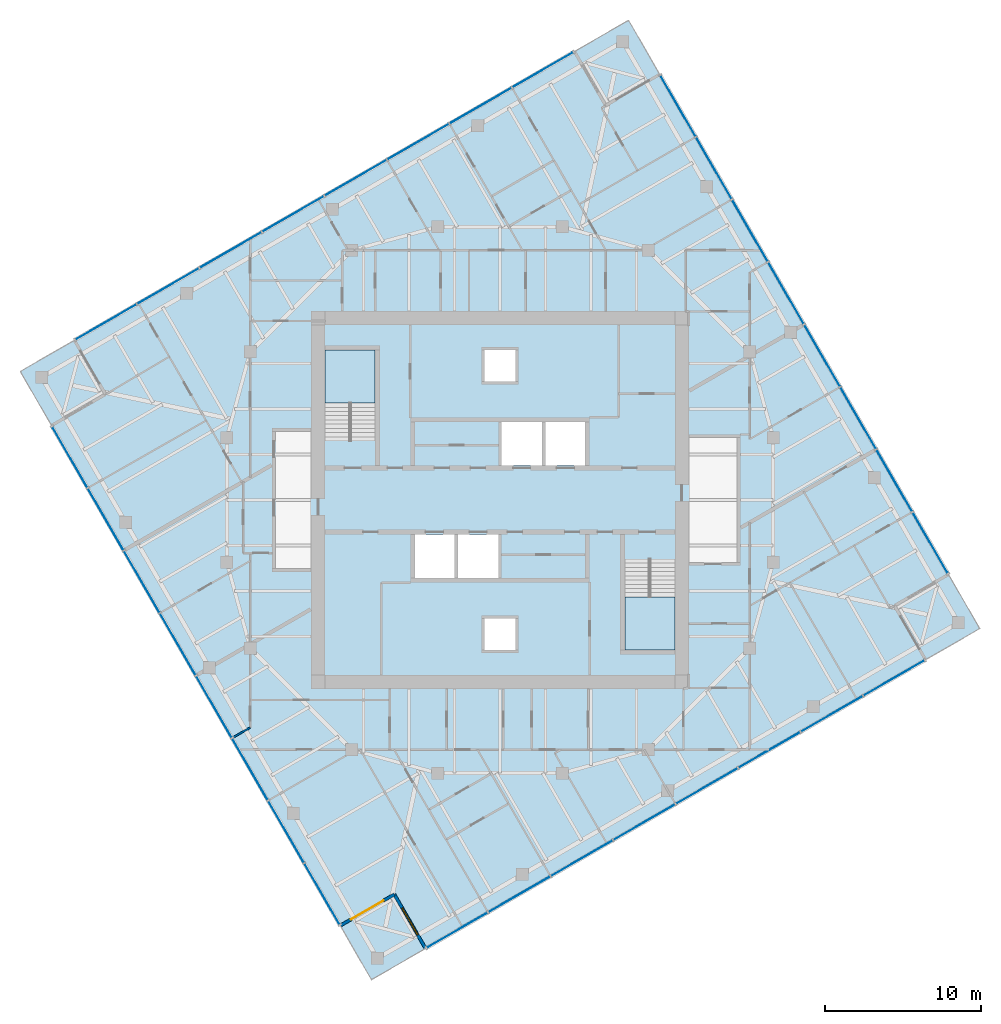
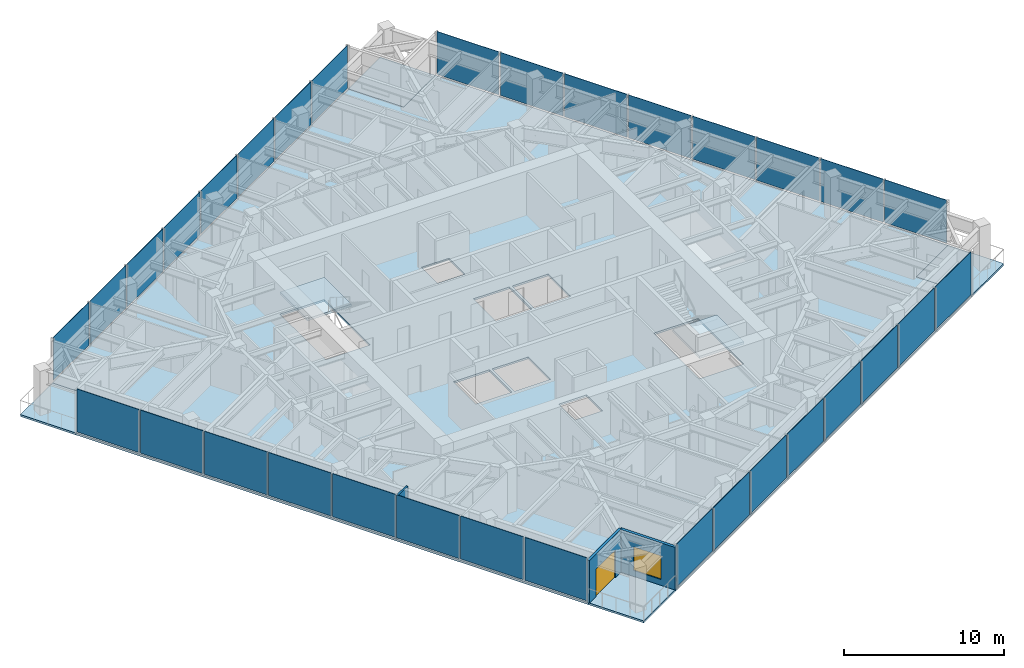
# One storey, part 6 of 13: 32 plates, 7 slabs, 3 walls, 1 door, 1 window, 2 openings, 6 elements without a shape of their own.
"""IFC4 building model written with IfcOpenShell, lengths in metres."""

from ifc_helpers import new_model, si_unit, direction, frame, frame_2d, origin, origin_2d, place, context, subcontext, project, spatial, polyline, rectangle, outline, extrude, material, layer, layer_set, type_object, element, fill, aggregate, save


model = new_model("IFC4")

# Units and contexts
model_context = context("Model", 3, precision=1e-05, world=origin(), true_north=direction((0.0, 1.0)))
body_context = subcontext(model_context, "Body", "Model", "MODEL_VIEW")
ifc_project = project(units=[si_unit("LENGTHUNIT", "METRE"), si_unit("AREAUNIT", "SQUARE_METRE"), si_unit("VOLUMEUNIT", "CUBIC_METRE"), si_unit("PLANEANGLEUNIT", "RADIAN"), si_unit("MASSUNIT", "GRAM", prefix="KILO")], contexts=[model_context])

# Site, building, storey
site_placement = place(None, origin())
site = spatial("IfcSite", under=ifc_project, at=site_placement, CompositionType="ELEMENT")
building_placement = place(site_placement, origin())
building = spatial("IfcBuilding", under=site, at=building_placement, Name="Torsade Residences", CompositionType="ELEMENT")
storey_placement = place(building_placement, frame((0.0, 0.0, 225.199951171875)))
storey = spatial("IfcBuildingStorey", under=building, at=storey_placement, Name="L62", CompositionType="ELEMENT", Elevation=225.199951171875)

# Slab
ifc_material_1 = material(Name="Concrete 40 MPa", Category="concrete")
ifc_layer_1 = layer(ifc_material_1, 0.14990234375)
ifc_layer_set_1 = layer_set([ifc_layer_1], Name="Concrete 40 MPa")
slab_type_1 = type_object("IfcSlabType", Name="COMPOSITE FLOOR SLAB 150", PredefinedType="FLOOR", material=ifc_layer_set_1)
slab_1_placement = place(storey_placement, frame((0.0, 0.0, -0.14990234375)))
element("IfcSlab", 1, at=slab_1_placement, inside=storey, type_object=slab_type_1, Name="Floor slab L62", PredefinedType="FLOOR", context=body_context, shape_type="SweptSolid", body=[
    extrude(outline(polyline([(35.228515625, 1.264404296875), (67.271484375, 19.764404296875), (65.271484375, 23.228515625), (68.735595703125, 25.228515625), (50.235595703125, 57.271484375), (46.771484375, 55.271484375), (44.771484375, 58.735595703125), (12.728515625, 40.235595703125), (14.728515625, 36.771484375), (11.264404296875, 34.771484375), (29.764404296875, 2.728515625), (33.228515625, 4.728515625), (35.228515625, 1.264404296875)]), holes=[polyline([(51.199951171875, 26.1201171875), (48.0, 26.1201171875), (48.0, 20.39990234375), (51.199951171875, 20.39990234375), (51.199951171875, 26.1201171875)]), polyline([(45.5, 35.0), (42.89990234375, 35.0), (42.89990234375, 32.199951171875), (45.5, 32.199951171875), (45.5, 35.0)]), polyline([(42.699951171875, 35.0), (40.10009765625, 35.0), (40.10009765625, 32.199951171875), (42.699951171875, 32.199951171875), (42.699951171875, 35.0)]), polyline([(41.0, 22.39990234375), (39.0, 22.39990234375), (39.0, 20.39990234375), (41.0, 20.39990234375), (41.0, 22.39990234375)]), polyline([(41.0, 39.60009765625), (39.0, 39.60009765625), (39.0, 37.60009765625), (41.0, 37.60009765625), (41.0, 39.60009765625)]), polyline([(39.89990234375, 27.800048828125), (37.300048828125, 27.800048828125), (37.300048828125, 25.0), (39.89990234375, 25.0), (39.89990234375, 27.800048828125)]), polyline([(37.10009765625, 27.800048828125), (34.5, 27.800048828125), (34.5, 25.0), (37.10009765625, 25.0), (37.10009765625, 27.800048828125)]), polyline([(32.0, 39.60009765625), (28.800048828125, 39.60009765625), (28.800048828125, 33.8798828125), (32.0, 33.8798828125), (32.0, 39.60009765625)])]), origin(), (0.0, 0.0, 1.0), 0.14990234375),
])

# Curtain wall, plates
ifc_material_2 = material(Name="Aluminium and glass", Category="aluminium")
curtain_wall_type = type_object("IfcCurtainWallType", Name="FRITTED GLASS CURTAIN WALL HIGH ZONE", PredefinedType="NOTDEFINED", material=ifc_material_2)
curtain_wall_1_placement = place(storey_placement, origin())
curtain_wall_1 = element("IfcCurtainWall", 2, at=curtain_wall_1_placement, inside=storey, type_object=curtain_wall_type, Name="Curtain wall L62 face 1", PredefinedType="NOTDEFINED")
ifc_material_3 = material(Name="Laminated glass", Category="glass")
ifc_layer_2 = layer(ifc_material_3, 0.031982421875)
ifc_layer_set_2 = layer_set([ifc_layer_2], Name="Laminated glass")
plate_type_1 = type_object("IfcPlateType", Name="FRITTED GLASS PANEL", PredefinedType="CURTAIN_PANEL", material=ifc_layer_set_2)
plate_1_placement = place(storey_placement, frame((37.2529296875, 2.43310546875, 0.1201171875), z_axis=(0.0, 0.0, 1.0), x_axis=(0.866025404186, 0.499999999305, 0.0)))
plate_1 = element("IfcPlate", 3, at=plate_1_placement, type_object=plate_type_1, Name="Panel 1", PredefinedType="CURTAIN_PANEL", context=body_context, shape_type="SweptSolid", body=[
    extrude(rectangle(XDim=4.47509765625, YDim=0.031982421875, at=origin_2d()), origin(), (0.0, 0.0, 1.0), 3.280029296875),
])
plate_2_placement = place(storey_placement, frame((45.241943359375, 7.045654296875, 0.1201171875), z_axis=(0.0, 0.0, 1.0), x_axis=(0.866025404186, 0.499999999305, 0.0)))
plate_2 = element("IfcPlate", 4, at=plate_2_placement, type_object=plate_type_1, Name="Panel 3", PredefinedType="CURTAIN_PANEL", context=body_context, shape_type="SweptSolid", body=[
    extrude(rectangle(XDim=4.52490234375, YDim=0.031982421875, at=origin_2d()), origin(), (0.0, 0.0, 1.0), 3.280029296875),
])
plate_3_placement = place(storey_placement, frame((49.247314453125, 9.358154296875, 0.1201171875), z_axis=(0.0, 0.0, 1.0), x_axis=(0.866025404186, 0.499999999305, 0.0)))
plate_3 = element("IfcPlate", 5, at=plate_3_placement, type_object=plate_type_1, Name="Panel 4", PredefinedType="CURTAIN_PANEL", context=body_context, shape_type="SweptSolid", body=[
    extrude(rectangle(XDim=4.52490234375, YDim=0.031982421875, at=origin_2d()), origin(), (0.0, 0.0, 1.0), 3.280029296875),
])
plate_4_placement = place(storey_placement, frame((53.252685546875, 11.670654296875, 0.1201171875), z_axis=(0.0, 0.0, 1.0), x_axis=(0.866025404186, 0.499999999305, 0.0)))
plate_4 = element("IfcPlate", 6, at=plate_4_placement, type_object=plate_type_1, Name="Panel 5", PredefinedType="CURTAIN_PANEL", context=body_context, shape_type="SweptSolid", body=[
    extrude(rectangle(XDim=4.52490234375, YDim=0.031982421875, at=origin_2d()), origin(), (0.0, 0.0, 1.0), 3.280029296875),
])
plate_5_placement = place(storey_placement, frame((61.263427734375, 16.295654296875, 0.1201171875), z_axis=(0.0, 0.0, 1.0), x_axis=(0.866025404186, 0.499999999305, 0.0)))
plate_5 = element("IfcPlate", 7, at=plate_5_placement, type_object=plate_type_1, Name="Panel 7", PredefinedType="CURTAIN_PANEL", context=body_context, shape_type="SweptSolid", body=[
    extrude(rectangle(XDim=4.52490234375, YDim=0.031982421875, at=origin_2d()), origin(), (0.0, 0.0, 1.0), 3.280029296875),
])
plate_6_placement = place(storey_placement, frame((65.2470703125, 18.595703125, 0.1201171875), z_axis=(0.0, 0.0, 1.0), x_axis=(0.866025404186, 0.499999999305, 0.0)))
plate_6 = element("IfcPlate", 8, at=plate_6_placement, type_object=plate_type_1, Name="Panel 8", PredefinedType="CURTAIN_PANEL", context=body_context, shape_type="SweptSolid", body=[
    extrude(rectangle(XDim=4.47509765625, YDim=0.031982421875, at=origin_2d()), origin(), (0.0, 0.0, 1.0), 3.280029296875),
])

curtain_wall_2_placement = place(storey_placement, origin())
curtain_wall_2 = element("IfcCurtainWall", 9, at=curtain_wall_2_placement, inside=storey, type_object=curtain_wall_type, Name="Curtain wall L62 face 4", PredefinedType="NOTDEFINED")
plate_7_placement = place(storey_placement, frame((67.56689453125, 27.2529296875, 0.1201171875), z_axis=(0.0, 0.0, 1.0), x_axis=(-0.499999999305, 0.866025404186, 0.0)))
plate_7 = element("IfcPlate", 10, at=plate_7_placement, type_object=plate_type_1, Name="Panel 1", PredefinedType="CURTAIN_PANEL", context=body_context, shape_type="SweptSolid", body=[
    extrude(rectangle(XDim=4.47509765625, YDim=0.031982421875, at=origin_2d()), origin(), (0.0, 0.0, 1.0), 3.280029296875),
])
plate_8_placement = place(storey_placement, frame((62.954345703125, 35.241943359375, 0.1201171875), z_axis=(0.0, 0.0, 1.0), x_axis=(-0.499999999305, 0.866025404186, 0.0)))
plate_8 = element("IfcPlate", 11, at=plate_8_placement, type_object=plate_type_1, Name="Panel 3", PredefinedType="CURTAIN_PANEL", context=body_context, shape_type="SweptSolid", body=[
    extrude(rectangle(XDim=4.52490234375, YDim=0.031982421875, at=origin_2d()), origin(), (0.0, 0.0, 1.0), 3.280029296875),
])
plate_9_placement = place(storey_placement, frame((60.641845703125, 39.247314453125, 0.1201171875), z_axis=(0.0, 0.0, 1.0), x_axis=(-0.499999999305, 0.866025404186, 0.0)))
plate_9 = element("IfcPlate", 12, at=plate_9_placement, type_object=plate_type_1, Name="Panel 4", PredefinedType="CURTAIN_PANEL", context=body_context, shape_type="SweptSolid", body=[
    extrude(rectangle(XDim=4.52490234375, YDim=0.031982421875, at=origin_2d()), origin(), (0.0, 0.0, 1.0), 3.280029296875),
])
plate_10_placement = place(storey_placement, frame((58.329345703125, 43.252685546875, 0.1201171875), z_axis=(0.0, 0.0, 1.0), x_axis=(-0.499999999305, 0.866025404186, 0.0)))
plate_10 = element("IfcPlate", 13, at=plate_10_placement, type_object=plate_type_1, Name="Panel 5", PredefinedType="CURTAIN_PANEL", context=body_context, shape_type="SweptSolid", body=[
    extrude(rectangle(XDim=4.52490234375, YDim=0.031982421875, at=origin_2d()), origin(), (0.0, 0.0, 1.0), 3.280029296875),
])
plate_11_placement = place(storey_placement, frame((53.704345703125, 51.263427734375, 0.1201171875), z_axis=(0.0, 0.0, 1.0), x_axis=(-0.499999999305, 0.866025404186, 0.0)))
plate_11 = element("IfcPlate", 14, at=plate_11_placement, type_object=plate_type_1, Name="Panel 7", PredefinedType="CURTAIN_PANEL", context=body_context, shape_type="SweptSolid", body=[
    extrude(rectangle(XDim=4.52490234375, YDim=0.031982421875, at=origin_2d()), origin(), (0.0, 0.0, 1.0), 3.280029296875),
])
plate_12_placement = place(storey_placement, frame((51.404296875, 55.2470703125, 0.1201171875), z_axis=(0.0, 0.0, 1.0), x_axis=(-0.499999999305, 0.866025404186, 0.0)))
plate_12 = element("IfcPlate", 15, at=plate_12_placement, type_object=plate_type_1, Name="Panel 8", PredefinedType="CURTAIN_PANEL", context=body_context, shape_type="SweptSolid", body=[
    extrude(rectangle(XDim=4.47509765625, YDim=0.031982421875, at=origin_2d()), origin(), (0.0, 0.0, 1.0), 3.280029296875),
])

curtain_wall_3_placement = place(storey_placement, origin())
curtain_wall_3 = element("IfcCurtainWall", 16, at=curtain_wall_3_placement, inside=storey, type_object=curtain_wall_type, Name="Curtain wall L62 face 7", PredefinedType="NOTDEFINED")
plate_13_placement = place(storey_placement, frame((42.7470703125, 57.56689453125, 0.1201171875), z_axis=(0.0, 0.0, 1.0), x_axis=(-0.866025404186, -0.499999999305, 0.0)))
plate_13 = element("IfcPlate", 17, at=plate_13_placement, type_object=plate_type_1, Name="Panel 1", PredefinedType="CURTAIN_PANEL", context=body_context, shape_type="SweptSolid", body=[
    extrude(rectangle(XDim=4.47509765625, YDim=0.031982421875, at=origin_2d()), origin(), (0.0, 0.0, 1.0), 3.280029296875),
])
plate_14_placement = place(storey_placement, frame((34.758056640625, 52.954345703125, 0.1201171875), z_axis=(0.0, 0.0, 1.0), x_axis=(-0.866025404186, -0.499999999305, 0.0)))
plate_14 = element("IfcPlate", 18, at=plate_14_placement, type_object=plate_type_1, Name="Panel 3", PredefinedType="CURTAIN_PANEL", context=body_context, shape_type="SweptSolid", body=[
    extrude(rectangle(XDim=4.52490234375, YDim=0.031982421875, at=origin_2d()), origin(), (0.0, 0.0, 1.0), 3.280029296875),
])
plate_15_placement = place(storey_placement, frame((30.752685546875, 50.641845703125, 0.1201171875), z_axis=(0.0, 0.0, 1.0), x_axis=(-0.866025404186, -0.499999999305, 0.0)))
plate_15 = element("IfcPlate", 19, at=plate_15_placement, type_object=plate_type_1, Name="Panel 4", PredefinedType="CURTAIN_PANEL", context=body_context, shape_type="SweptSolid", body=[
    extrude(rectangle(XDim=4.52490234375, YDim=0.031982421875, at=origin_2d()), origin(), (0.0, 0.0, 1.0), 3.280029296875),
])
plate_16_placement = place(storey_placement, frame((26.747314453125, 48.329345703125, 0.1201171875), z_axis=(0.0, 0.0, 1.0), x_axis=(-0.866025404186, -0.499999999305, 0.0)))
plate_16 = element("IfcPlate", 20, at=plate_16_placement, type_object=plate_type_1, Name="Panel 5", PredefinedType="CURTAIN_PANEL", context=body_context, shape_type="SweptSolid", body=[
    extrude(rectangle(XDim=4.52490234375, YDim=0.031982421875, at=origin_2d()), origin(), (0.0, 0.0, 1.0), 3.280029296875),
])
plate_17_placement = place(storey_placement, frame((18.736572265625, 43.704345703125, 0.1201171875), z_axis=(0.0, 0.0, 1.0), x_axis=(-0.866025404186, -0.499999999305, 0.0)))
plate_17 = element("IfcPlate", 21, at=plate_17_placement, type_object=plate_type_1, Name="Panel 7", PredefinedType="CURTAIN_PANEL", context=body_context, shape_type="SweptSolid", body=[
    extrude(rectangle(XDim=4.52490234375, YDim=0.031982421875, at=origin_2d()), origin(), (0.0, 0.0, 1.0), 3.280029296875),
])
plate_18_placement = place(storey_placement, frame((14.7529296875, 41.404296875, 0.1201171875), z_axis=(0.0, 0.0, 1.0), x_axis=(-0.866025404186, -0.499999999305, 0.0)))
plate_18 = element("IfcPlate", 22, at=plate_18_placement, type_object=plate_type_1, Name="Panel 8", PredefinedType="CURTAIN_PANEL", context=body_context, shape_type="SweptSolid", body=[
    extrude(rectangle(XDim=4.47509765625, YDim=0.031982421875, at=origin_2d()), origin(), (0.0, 0.0, 1.0), 3.280029296875),
])

curtain_wall_4_placement = place(storey_placement, origin())
curtain_wall_4 = element("IfcCurtainWall", 23, at=curtain_wall_4_placement, inside=storey, type_object=curtain_wall_type, Name="Curtain wall L62 face 10", PredefinedType="NOTDEFINED")
plate_19_placement = place(storey_placement, frame((12.43310546875, 32.7470703125, 0.1201171875), z_axis=(0.0, 0.0, 1.0), x_axis=(0.499999999305, -0.866025404186, 0.0)))
plate_19 = element("IfcPlate", 24, at=plate_19_placement, type_object=plate_type_1, Name="Panel 1", PredefinedType="CURTAIN_PANEL", context=body_context, shape_type="SweptSolid", body=[
    extrude(rectangle(XDim=4.47509765625, YDim=0.031982421875, at=origin_2d()), origin(), (0.0, 0.0, 1.0), 3.280029296875),
])
plate_20_placement = place(storey_placement, frame((17.045654296875, 24.758056640625, 0.1201171875), z_axis=(0.0, 0.0, 1.0), x_axis=(0.499999999305, -0.866025404186, 0.0)))
plate_20 = element("IfcPlate", 25, at=plate_20_placement, type_object=plate_type_1, Name="Panel 3", PredefinedType="CURTAIN_PANEL", context=body_context, shape_type="SweptSolid", body=[
    extrude(rectangle(XDim=4.52490234375, YDim=0.031982421875, at=origin_2d()), origin(), (0.0, 0.0, 1.0), 3.280029296875),
])
plate_21_placement = place(storey_placement, frame((19.358154296875, 20.752685546875, 0.1201171875), z_axis=(0.0, 0.0, 1.0), x_axis=(0.499999999305, -0.866025404186, 0.0)))
plate_21 = element("IfcPlate", 26, at=plate_21_placement, type_object=plate_type_1, Name="Panel 4", PredefinedType="CURTAIN_PANEL", context=body_context, shape_type="SweptSolid", body=[
    extrude(rectangle(XDim=4.52490234375, YDim=0.031982421875, at=origin_2d()), origin(), (0.0, 0.0, 1.0), 3.280029296875),
])
plate_22_placement = place(storey_placement, frame((21.670654296875, 16.747314453125, 0.1201171875), z_axis=(0.0, 0.0, 1.0), x_axis=(0.499999999305, -0.866025404186, 0.0)))
plate_22 = element("IfcPlate", 27, at=plate_22_placement, type_object=plate_type_1, Name="Panel 5", PredefinedType="CURTAIN_PANEL", context=body_context, shape_type="SweptSolid", body=[
    extrude(rectangle(XDim=4.52490234375, YDim=0.031982421875, at=origin_2d()), origin(), (0.0, 0.0, 1.0), 3.280029296875),
])
plate_23_placement = place(storey_placement, frame((26.295654296875, 8.736572265625, 0.1201171875), z_axis=(0.0, 0.0, 1.0), x_axis=(0.499999999305, -0.866025404186, 0.0)))
plate_23 = element("IfcPlate", 28, at=plate_23_placement, type_object=plate_type_1, Name="Panel 7", PredefinedType="CURTAIN_PANEL", context=body_context, shape_type="SweptSolid", body=[
    extrude(rectangle(XDim=4.52490234375, YDim=0.031982421875, at=origin_2d()), origin(), (0.0, 0.0, 1.0), 3.280029296875),
])
plate_24_placement = place(storey_placement, frame((28.595703125, 4.7529296875, 0.1201171875), z_axis=(0.0, 0.0, 1.0), x_axis=(0.499999999305, -0.866025404186, 0.0)))
plate_24 = element("IfcPlate", 29, at=plate_24_placement, type_object=plate_type_1, Name="Panel 8", PredefinedType="CURTAIN_PANEL", context=body_context, shape_type="SweptSolid", body=[
    extrude(rectangle(XDim=4.47509765625, YDim=0.031982421875, at=origin_2d()), origin(), (0.0, 0.0, 1.0), 3.280029296875),
])

# Plate
ifc_material_4 = material(Name="Laminated glass", Category="glass")
ifc_layer_3 = layer(ifc_material_4, 0.0400390625)
ifc_layer_set_3 = layer_set([ifc_layer_3], Name="Laminated glass")
plate_type_2 = type_object("IfcPlateType", Name="OPERABLE VENT PANEL", PredefinedType="CURTAIN_PANEL", material=ifc_layer_set_3)
plate_25_placement = place(storey_placement, frame((41.236572265625, 4.733154296875, 0.1201171875), z_axis=(0.0, 0.0, 1.0), x_axis=(0.866025404186, 0.499999999305, 0.0)))
plate_25 = element("IfcPlate", 30, at=plate_25_placement, type_object=plate_type_2, Name="Panel 2", PredefinedType="CURTAIN_PANEL", context=body_context, shape_type="SweptSolid", body=[
    extrude(rectangle(XDim=4.52490234375, YDim=0.0400390625, at=origin_2d()), origin(), (0.0, 0.0, 1.0), 3.280029296875),
])

plate_26_placement = place(storey_placement, frame((57.258056640625, 13.983154296875, 0.1201171875), z_axis=(0.0, 0.0, 1.0), x_axis=(0.866025404186, 0.499999999305, 0.0)))
plate_26 = element("IfcPlate", 31, at=plate_26_placement, type_object=plate_type_2, Name="Panel 6", PredefinedType="CURTAIN_PANEL", context=body_context, shape_type="SweptSolid", body=[
    extrude(rectangle(XDim=4.52490234375, YDim=0.0400390625, at=origin_2d()), origin(), (0.0, 0.0, 1.0), 3.280029296875),
])

aggregate(curtain_wall_1, [plate_1, plate_25, plate_2, plate_3, plate_4, plate_26, plate_5, plate_6])

plate_27_placement = place(storey_placement, frame((65.266845703125, 31.236572265625, 0.1201171875), z_axis=(0.0, 0.0, 1.0), x_axis=(-0.499999999305, 0.866025404186, 0.0)))
plate_27 = element("IfcPlate", 32, at=plate_27_placement, type_object=plate_type_2, Name="Panel 2", PredefinedType="CURTAIN_PANEL", context=body_context, shape_type="SweptSolid", body=[
    extrude(rectangle(XDim=4.52490234375, YDim=0.0400390625, at=origin_2d()), origin(), (0.0, 0.0, 1.0), 3.280029296875),
])

plate_28_placement = place(storey_placement, frame((56.016845703125, 47.258056640625, 0.1201171875), z_axis=(0.0, 0.0, 1.0), x_axis=(-0.499999999305, 0.866025404186, 0.0)))
plate_28 = element("IfcPlate", 33, at=plate_28_placement, type_object=plate_type_2, Name="Panel 6", PredefinedType="CURTAIN_PANEL", context=body_context, shape_type="SweptSolid", body=[
    extrude(rectangle(XDim=4.52490234375, YDim=0.0400390625, at=origin_2d()), origin(), (0.0, 0.0, 1.0), 3.280029296875),
])

aggregate(curtain_wall_2, [plate_7, plate_27, plate_8, plate_9, plate_10, plate_28, plate_11, plate_12])

plate_29_placement = place(storey_placement, frame((38.763427734375, 55.266845703125, 0.1201171875), z_axis=(0.0, 0.0, 1.0), x_axis=(-0.866025404186, -0.499999999305, 0.0)))
plate_29 = element("IfcPlate", 34, at=plate_29_placement, type_object=plate_type_2, Name="Panel 2", PredefinedType="CURTAIN_PANEL", context=body_context, shape_type="SweptSolid", body=[
    extrude(rectangle(XDim=4.52490234375, YDim=0.0400390625, at=origin_2d()), origin(), (0.0, 0.0, 1.0), 3.280029296875),
])

plate_30_placement = place(storey_placement, frame((22.741943359375, 46.016845703125, 0.1201171875), z_axis=(0.0, 0.0, 1.0), x_axis=(-0.866025404186, -0.499999999305, 0.0)))
plate_30 = element("IfcPlate", 35, at=plate_30_placement, type_object=plate_type_2, Name="Panel 6", PredefinedType="CURTAIN_PANEL", context=body_context, shape_type="SweptSolid", body=[
    extrude(rectangle(XDim=4.52490234375, YDim=0.0400390625, at=origin_2d()), origin(), (0.0, 0.0, 1.0), 3.280029296875),
])

aggregate(curtain_wall_3, [plate_13, plate_29, plate_14, plate_15, plate_16, plate_30, plate_17, plate_18])

plate_31_placement = place(storey_placement, frame((14.733154296875, 28.763427734375, 0.1201171875), z_axis=(0.0, 0.0, 1.0), x_axis=(0.499999999305, -0.866025404186, 0.0)))
plate_31 = element("IfcPlate", 36, at=plate_31_placement, type_object=plate_type_2, Name="Panel 2", PredefinedType="CURTAIN_PANEL", context=body_context, shape_type="SweptSolid", body=[
    extrude(rectangle(XDim=4.52490234375, YDim=0.0400390625, at=origin_2d()), origin(), (0.0, 0.0, 1.0), 3.280029296875),
])

plate_32_placement = place(storey_placement, frame((23.983154296875, 12.741943359375, 0.1201171875), z_axis=(0.0, 0.0, 1.0), x_axis=(0.499999999305, -0.866025404186, 0.0)))
plate_32 = element("IfcPlate", 37, at=plate_32_placement, type_object=plate_type_2, Name="Panel 6", PredefinedType="CURTAIN_PANEL", context=body_context, shape_type="SweptSolid", body=[
    extrude(rectangle(XDim=4.52490234375, YDim=0.0400390625, at=origin_2d()), origin(), (0.0, 0.0, 1.0), 3.280029296875),
])

aggregate(curtain_wall_4, [plate_19, plate_31, plate_20, plate_21, plate_22, plate_32, plate_23, plate_24])

# Stair, slab
ifc_material_5 = material(Name="Precast concrete 40 MPa", Category="concrete")
stair_type = type_object("IfcStairType", Name="HALF-TURN FIRE STAIR 1500x3400", PredefinedType="HALF_TURN_STAIR", material=ifc_material_5)
stair_1_placement = place(storey_placement, origin())
stair_1 = element("IfcStair", 38, at=stair_1_placement, inside=storey, type_object=stair_type, Name="Stair ST1 L62", PredefinedType="HALF_TURN_STAIR")
ifc_material_6 = material(Name="Precast concrete 40 MPa", Category="concrete")
ifc_layer_4 = layer(ifc_material_6, 0.179931640625)
ifc_layer_set_4 = layer_set([ifc_layer_4], Name="Precast concrete 40 MPa")
slab_type_2 = type_object("IfcSlabType", Name="PRECAST STAIR LANDING 180", PredefinedType="LANDING", material=ifc_layer_set_4)
slab_2_placement = place(storey_placement, frame((0.0, 0.0, 1.52001953125)))
slab_2 = element("IfcSlab", 39, at=slab_2_placement, type_object=slab_type_2, Name="ST1 landing 1", PredefinedType="LANDING", context=body_context, shape_type="SweptSolid", body=[
    extrude(outline(polyline([(28.800048828125, 36.2099609375), (32.0, 36.2099609375), (32.0, 39.60009765625), (28.800048828125, 39.60009765625), (28.800048828125, 36.2099609375)])), origin(), (0.0, 0.0, 1.0), 0.179931640625),
])
aggregate(stair_1, [slab_2])

stair_2_placement = place(storey_placement, origin())
stair_2 = element("IfcStair", 40, at=stair_2_placement, inside=storey, type_object=stair_type, Name="Stair ST2 L62", PredefinedType="HALF_TURN_STAIR")
slab_3_placement = place(storey_placement, frame((0.0, 0.0, 1.52001953125)))
slab_3 = element("IfcSlab", 41, at=slab_3_placement, type_object=slab_type_2, Name="ST2 landing 1", PredefinedType="LANDING", context=body_context, shape_type="SweptSolid", body=[
    extrude(outline(polyline([(48.0, 20.39990234375), (51.199951171875, 20.39990234375), (51.199951171875, 23.7900390625), (48.0, 23.7900390625), (48.0, 20.39990234375)])), origin(), (0.0, 0.0, 1.0), 0.179931640625),
])
aggregate(stair_2, [slab_3])

# Slabs
ifc_material_7 = material(Name="Concrete 40 MPa", Category="concrete")
ifc_layer_5 = layer(ifc_material_7, 0.14990234375)
ifc_layer_set_5 = layer_set([ifc_layer_5], Name="Concrete 40 MPa")
slab_type_3 = type_object("IfcSlabType", Name="TERRACE SLAB 150", PredefinedType="FLOOR", material=ifc_layer_set_5)
slab_4_placement = place(storey_placement, frame((0.0, 0.0, -0.14990234375)))
element("IfcSlab", 42, at=slab_4_placement, inside=storey, type_object=slab_type_3, Name="Corner terrace slab SE L62", PredefinedType="FLOOR", context=body_context, shape_type="SweptSolid", body=[
    extrude(outline(polyline([(67.271484375, 19.764404296875), (70.735595703125, 21.764404296875), (68.735595703125, 25.228515625), (65.271484375, 23.228515625), (67.271484375, 19.764404296875)])), origin(), (0.0, 0.0, 1.0), 0.14990234375),
])
slab_5_placement = place(storey_placement, frame((0.0, 0.0, -0.14990234375)))
element("IfcSlab", 43, at=slab_5_placement, inside=storey, type_object=slab_type_3, Name="Corner terrace slab NE L62", PredefinedType="FLOOR", context=body_context, shape_type="SweptSolid", body=[
    extrude(outline(polyline([(46.771484375, 55.271484375), (50.235595703125, 57.271484375), (48.235595703125, 60.735595703125), (44.771484375, 58.735595703125), (46.771484375, 55.271484375)])), origin(), (0.0, 0.0, 1.0), 0.14990234375),
])
slab_6_placement = place(storey_placement, frame((0.0, 0.0, -0.14990234375)))
element("IfcSlab", 44, at=slab_6_placement, inside=storey, type_object=slab_type_3, Name="Corner terrace slab NW L62", PredefinedType="FLOOR", context=body_context, shape_type="SweptSolid", body=[
    extrude(outline(polyline([(11.264404296875, 34.771484375), (14.728515625, 36.771484375), (12.728515625, 40.235595703125), (9.264404296875, 38.235595703125), (11.264404296875, 34.771484375)])), origin(), (0.0, 0.0, 1.0), 0.14990234375),
])
slab_7_placement = place(storey_placement, frame((0.0, 0.0, -0.14990234375)))
element("IfcSlab", 45, at=slab_7_placement, inside=storey, type_object=slab_type_3, Name="Corner terrace slab SW L62", PredefinedType="FLOOR", context=body_context, shape_type="SweptSolid", body=[
    extrude(outline(polyline([(31.764404296875, -0.735595703125), (35.228515625, 1.264404296875), (33.228515625, 4.728515625), (29.764404296875, 2.728515625), (31.764404296875, -0.735595703125)])), origin(), (0.0, 0.0, 1.0), 0.14990234375),
])

# Wall
ifc_material_8 = material(Name="Plasterboard on steel stud", Category="steel")
ifc_layer_6 = layer(ifc_material_8, 0.1201171875)
ifc_layer_set_6 = layer_set([ifc_layer_6], Name="Plasterboard on steel stud")
wall_type_1 = type_object("IfcWallType", Name="PARTITION 120", PredefinedType="PARTITIONING", material=ifc_layer_set_6)
wall_1_placement = place(storey_placement, frame((22.861572265625, 14.7646484375, 0.0), z_axis=(0.0, 0.0, 1.0), x_axis=(0.866040225545, 0.499974327079, 0.0)))
element("IfcWall", 46, at=wall_1_placement, inside=storey, type_object=wall_type_1, Name="Partition L62", PredefinedType="PARTITIONING", context=body_context, shape_type="SweptSolid", body=[
    extrude(rectangle(XDim=1.314453125, YDim=0.1201171875, at=frame_2d((0.6572265625, 0.0))), origin(), (0.0, 0.0, 1.0), 3.25),
])

# Wall, opening, door
ifc_material_9 = material(Name="Stone-faced precast concrete 40 MPa panel", Category="masonry")
ifc_layer_7 = layer(ifc_material_9, 0.199951171875)
ifc_layer_set_7 = layer_set([ifc_layer_7], Name="Stone-faced precast concrete 40 MPa panel")
wall_type_2 = type_object("IfcWallType", Name="TERRACE WALL 200", PredefinedType="SOLIDWALL", material=ifc_layer_set_7)
wall_2_placement = place(storey_placement, frame((29.764404296875, 2.728515625, 0.0), z_axis=(0.0, 0.0, 1.0), x_axis=(0.866026010844, 0.49999894854, 0.0)))
wall_2 = element("IfcWall", 47, at=wall_2_placement, inside=storey, type_object=wall_type_2, Name="Terrace wall L62 11", PredefinedType="SOLIDWALL", context=body_context, shape_type="SweptSolid", body=[
    extrude(rectangle(XDim=4.0, YDim=0.199951171875, at=frame_2d((2.0, 0.0))), origin(), (0.0, 0.0, 1.0), 3.25),
])
opening_1_placement = place(wall_2_placement, frame((0.800048828125, 0.0, 0.0)))
opening_1 = element("IfcOpeningElement", 48, at=opening_1_placement, cuts=wall_2, Name="Opening D10A", PredefinedType="OPENING", context=body_context, shape_type="SweptSolid", body=[
    extrude(rectangle(XDim=2.39990234375, YDim=2.10009765625, at=frame_2d((1.199951171875, 1.050048828125))), frame((0.0, 0.10986328125, 0.0), z_axis=(0.0, -1.0, 0.0), x_axis=(1.0, 0.0, 0.0)), (0.0, 0.0, 1.0), 0.219970703125),
])
ifc_material_10 = material(Name="Aluminium-framed glass door", Category="aluminium")
door_type = type_object("IfcDoorType", Name="TERRACE SLIDING DOOR 2400x2100", OperationType="SLIDING_TO_LEFT", PredefinedType="DOOR", material=ifc_material_10)
door_placement = place(opening_1_placement, origin())
door = element("IfcDoor", 49, at=door_placement, inside=storey, type_object=door_type, Name="Terrace door L62 11", OperationType="SLIDING_TO_LEFT", OverallHeight=2.10009765625, OverallWidth=2.39990234375, PredefinedType="DOOR", context=body_context, shape_type="SweptSolid", body=[
    extrude(rectangle(XDim=2.39990234375, YDim=2.10009765625, at=frame_2d((1.199951171875, 1.050048828125))), frame((0.0, 0.02490234375, 0.0), z_axis=(0.0, -1.0, 0.0), x_axis=(1.0, 0.0, 0.0)), (0.0, 0.0, 1.0), 0.050048828125),
])
fill(opening_1, door)

# Wall, opening, window
wall_3_placement = place(storey_placement, frame((33.228515625, 4.728515625, 0.0), z_axis=(0.0, 0.0, 1.0), x_axis=(0.49999894854, -0.866026010844, 0.0)))
wall_3 = element("IfcWall", 50, at=wall_3_placement, inside=storey, type_object=wall_type_2, Name="Terrace wall L62 12", PredefinedType="SOLIDWALL", context=body_context, shape_type="SweptSolid", body=[
    extrude(rectangle(XDim=4.0, YDim=0.199951171875, at=frame_2d((2.0, 0.0))), origin(), (0.0, 0.0, 1.0), 3.25),
])
opening_2_placement = place(wall_3_placement, frame((1.0, 0.0, 0.449951171875)))
opening_2 = element("IfcOpeningElement", 51, at=opening_2_placement, cuts=wall_3, Name="Opening W1B", PredefinedType="OPENING", context=body_context, shape_type="SweptSolid", body=[
    extrude(rectangle(XDim=2.0, YDim=1.800048828125, at=frame_2d((1.0, 0.89990234375))), frame((0.0, 0.10986328125, 0.0), z_axis=(0.0, -1.0, 0.0), x_axis=(1.0, 0.0, 0.0)), (0.0, 0.0, 1.0), 0.219970703125),
])
ifc_material_11 = material(Name="Aluminium-framed glass window", Category="aluminium")
window_type = type_object("IfcWindowType", Name="TERRACE WINDOW 2000x1800", PartitioningType="SINGLE_PANEL", PredefinedType="WINDOW", material=ifc_material_11)
window_placement = place(opening_2_placement, origin())
window = element("IfcWindow", 52, at=window_placement, inside=storey, type_object=window_type, Name="Terrace window L62 12", OverallHeight=1.800048828125, OverallWidth=2.0, PartitioningType="SINGLE_PANEL", PredefinedType="WINDOW", context=body_context, shape_type="SweptSolid", body=[
    extrude(rectangle(XDim=2.0, YDim=1.800048828125, at=frame_2d((1.0, 0.89990234375))), frame((0.0, 0.030029296875, 0.0), z_axis=(0.0, -1.0, 0.0), x_axis=(1.0, 0.0, 0.0)), (0.0, 0.0, 1.0), 0.06005859375),
])
fill(opening_2, window)

save(model, "model.ifc")
